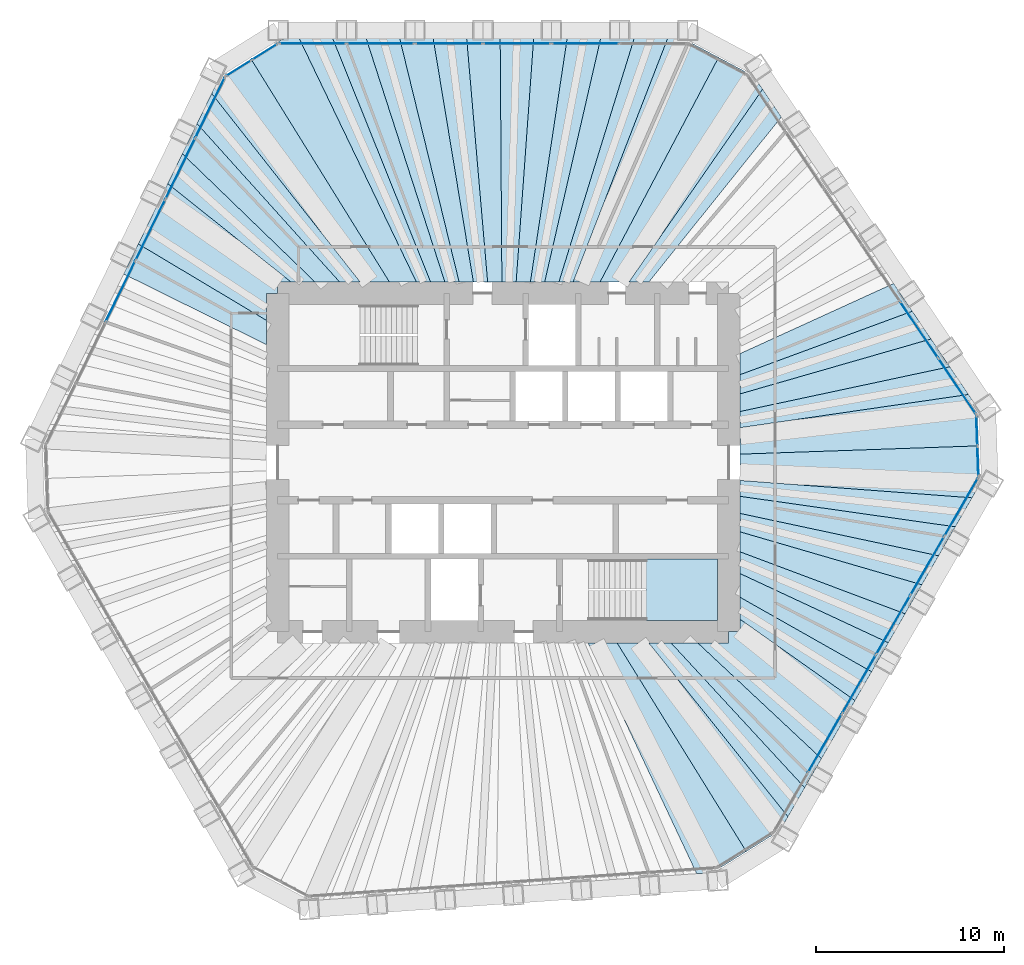
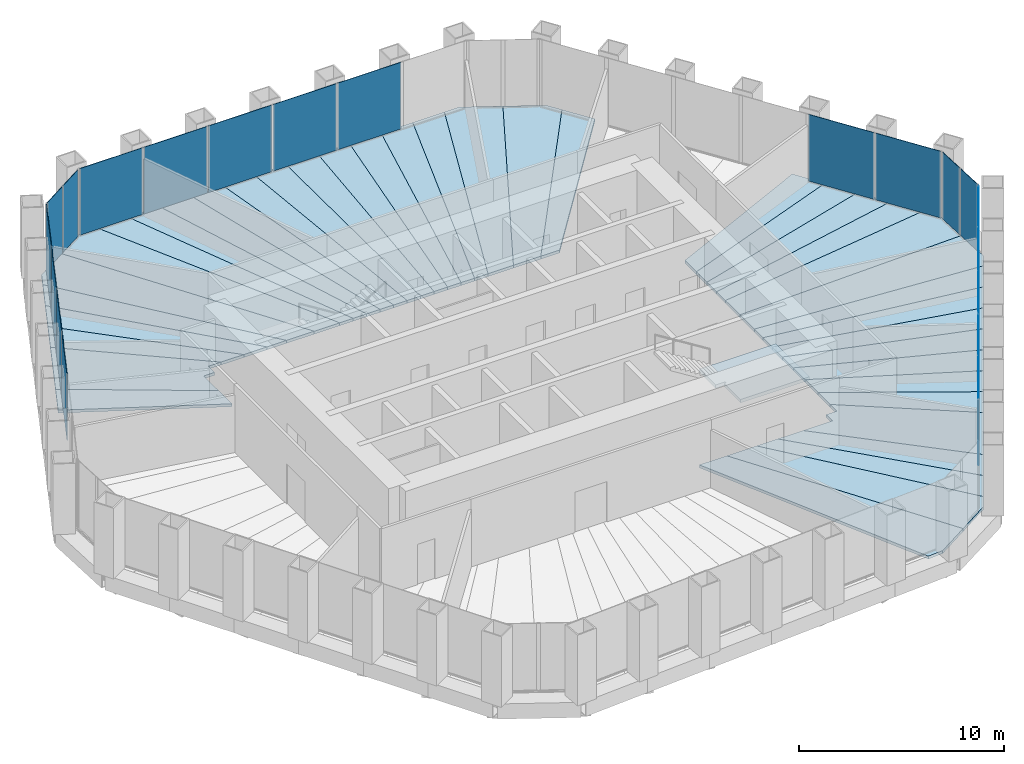
# One storey, part 8 of 12: 40 slabs, 20 plates, 7 elements without a shape of their own.
"""IFC4 building model written with IfcOpenShell, lengths in metres."""

from ifc_helpers import new_model, si_unit, direction, frame, origin, origin_2d, place, context, subcontext, project, spatial, polyline, rectangle, outline, extrude, material, layer, layer_set, type_object, element, aggregate, save


model = new_model("IFC4")

# Units and contexts
model_context = context("Model", 3, precision=1e-05, world=origin(), true_north=direction((0.0, 1.0)))
body_context = subcontext(model_context, "Body", "Model", "MODEL_VIEW")
ifc_project = project(units=[si_unit("LENGTHUNIT", "METRE"), si_unit("AREAUNIT", "SQUARE_METRE"), si_unit("VOLUMEUNIT", "CUBIC_METRE"), si_unit("PLANEANGLEUNIT", "RADIAN"), si_unit("MASSUNIT", "GRAM", prefix="KILO")], contexts=[model_context])

# Site, building, storey
site_placement = place(None, origin())
site = spatial("IfcSite", under=ifc_project, at=site_placement, CompositionType="ELEMENT")
building_placement = place(site_placement, origin())
building = spatial("IfcBuilding", under=site, at=building_placement, Name="Qingtian Harvest Tower", CompositionType="ELEMENT")
storey_placement = place(building_placement, frame((0.0, 0.0, 184.60009765625)))
storey = spatial("IfcBuildingStorey", under=building, at=storey_placement, Name="L39", CompositionType="ELEMENT", Elevation=184.60009765625)

# Slabs
ifc_material_1 = material(Name="Concrete fc' 35 MPa", Category="concrete")
ifc_layer_1 = layer(ifc_material_1, 0.169921875)
ifc_layer_set_1 = layer_set([ifc_layer_1], Name="Composite floor slab FS17 170")
slab_type_1 = type_object("IfcSlabType", Name="Composite floor slab FS17 170", PredefinedType="FLOOR", material=ifc_layer_set_1)
slab_1_placement = place(storey_placement, frame((0.0, 0.0, -0.170166015625)))
element("IfcSlab", 1, at=slab_1_placement, inside=storey, type_object=slab_type_1, Name="Floor slab L39 panel D26", PredefinedType="FLOOR", context=body_context, shape_type="SweptSolid", body=[
    extrude(outline(polyline([(4.5185546875, -9.60009765625), (6.059326171875, -9.60009765625), (12.94140625, -20.70703125), (11.142578125, -21.830810546875), (10.30029296875, -21.889892578125), (4.5185546875, -9.60009765625)])), origin(), (0.0, 0.0, 1.0), 0.170166015625),
])
slab_2_placement = place(storey_placement, frame((0.0, 0.0, -0.170166015625)))
element("IfcSlab", 2, at=slab_2_placement, inside=storey, type_object=slab_type_1, Name="Floor slab L39 panel D27", PredefinedType="FLOOR", context=body_context, shape_type="SweptSolid", body=[
    extrude(outline(polyline([(6.059326171875, -9.60009765625), (7.740966796875, -9.60009765625), (15.159423828125, -18.853271484375), (14.73681640625, -19.5849609375), (12.94140625, -20.70703125), (6.059326171875, -9.60009765625)])), origin(), (0.0, 0.0, 1.0), 0.170166015625),
])
slab_3_placement = place(storey_placement, frame((0.0, 0.0, -0.170166015625)))
element("IfcSlab", 3, at=slab_3_placement, inside=storey, type_object=slab_type_1, Name="Floor slab L39 panel D28", PredefinedType="FLOOR", context=body_context, shape_type="SweptSolid", body=[
    extrude(outline(polyline([(8.929443359375, -9.60009765625), (16.05029296875, -17.31005859375), (15.159423828125, -18.853271484375), (7.740966796875, -9.60009765625), (8.929443359375, -9.60009765625)])), origin(), (0.0, 0.0, 1.0), 0.170166015625),
])
slab_4_placement = place(storey_placement, frame((0.0, 0.0, -0.170166015625)))
element("IfcSlab", 4, at=slab_4_placement, inside=storey, type_object=slab_type_1, Name="Floor slab L39 panel D29", PredefinedType="FLOOR", context=body_context, shape_type="SweptSolid", body=[
    extrude(outline(polyline([(10.35205078125, -9.60009765625), (16.94140625, -15.766845703125), (16.05029296875, -17.31005859375), (8.929443359375, -9.60009765625), (10.35205078125, -9.60009765625)])), origin(), (0.0, 0.0, 1.0), 0.170166015625),
])
slab_5_placement = place(storey_placement, frame((0.0, 0.0, -0.170166015625)))
element("IfcSlab", 5, at=slab_5_placement, inside=storey, type_object=slab_type_1, Name="Floor slab L39 panel D31", PredefinedType="FLOOR", context=body_context, shape_type="SweptSolid", body=[
    extrude(outline(polyline([(12.60009765625, -8.33984375), (18.726806640625, -12.674072265625), (16.94140625, -15.766845703125), (10.35205078125, -9.60009765625), (12.0, -9.60009765625), (12.0, -9.0), (12.60009765625, -9.0), (12.60009765625, -8.33984375)])), origin(), (0.0, 0.0, 1.0), 0.170166015625),
])
slab_6_placement = place(storey_placement, frame((0.0, 0.0, -0.170166015625)))
element("IfcSlab", 6, at=slab_6_placement, inside=storey, type_object=slab_type_1, Name="Floor slab L39 panel D32", PredefinedType="FLOOR", context=body_context, shape_type="SweptSolid", body=[
    extrude(outline(polyline([(12.60009765625, -7.171142578125), (19.61279296875, -11.1396484375), (18.726806640625, -12.674072265625), (12.60009765625, -8.33984375), (12.60009765625, -7.171142578125)])), origin(), (0.0, 0.0, 1.0), 0.170166015625),
])
slab_7_placement = place(storey_placement, frame((0.0, 0.0, -0.170166015625)))
element("IfcSlab", 7, at=slab_7_placement, inside=storey, type_object=slab_type_1, Name="Floor slab L39 panel D33", PredefinedType="FLOOR", context=body_context, shape_type="SweptSolid", body=[
    extrude(outline(polyline([(12.60009765625, -5.91015625), (20.503662109375, -9.5966796875), (19.61279296875, -11.1396484375), (12.60009765625, -7.171142578125), (12.60009765625, -5.91015625)])), origin(), (0.0, 0.0, 1.0), 0.170166015625),
])
slab_8_placement = place(storey_placement, frame((0.0, 0.0, -0.170166015625)))
element("IfcSlab", 8, at=slab_8_placement, inside=storey, type_object=slab_type_1, Name="Floor slab L39 panel D34", PredefinedType="FLOOR", context=body_context, shape_type="SweptSolid", body=[
    extrude(outline(polyline([(12.60009765625, -4.75439453125), (21.39453125, -8.0537109375), (20.503662109375, -9.5966796875), (12.60009765625, -5.91015625), (12.60009765625, -4.75439453125)])), origin(), (0.0, 0.0, 1.0), 0.170166015625),
])
slab_9_placement = place(storey_placement, frame((0.0, 0.0, -0.170166015625)))
element("IfcSlab", 9, at=slab_9_placement, inside=storey, type_object=slab_type_1, Name="Floor slab L39 panel D35", PredefinedType="FLOOR", context=body_context, shape_type="SweptSolid", body=[
    extrude(outline(polyline([(12.60009765625, -3.691162109375), (22.285400390625, -6.5107421875), (21.39453125, -8.0537109375), (12.60009765625, -4.75439453125), (12.60009765625, -3.691162109375)])), origin(), (0.0, 0.0, 1.0), 0.170166015625),
])
slab_10_placement = place(storey_placement, frame((0.0, 0.0, -0.170166015625)))
element("IfcSlab", 10, at=slab_10_placement, inside=storey, type_object=slab_type_1, Name="Floor slab L39 panel D36", PredefinedType="FLOOR", context=body_context, shape_type="SweptSolid", body=[
    extrude(outline(polyline([(12.60009765625, -2.709716796875), (23.17626953125, -4.9677734375), (22.285400390625, -6.5107421875), (12.60009765625, -3.691162109375), (12.60009765625, -2.709716796875)])), origin(), (0.0, 0.0, 1.0), 0.170166015625),
])
slab_11_placement = place(storey_placement, frame((0.0, 0.0, -0.170166015625)))
element("IfcSlab", 11, at=slab_11_placement, inside=storey, type_object=slab_type_1, Name="Floor slab L39 panel D37", PredefinedType="FLOOR", context=body_context, shape_type="SweptSolid", body=[
    extrude(outline(polyline([(12.60009765625, -1.801025390625), (24.06689453125, -3.4248046875), (23.17626953125, -4.9677734375), (12.60009765625, -2.709716796875), (12.60009765625, -1.801025390625)])), origin(), (0.0, 0.0, 1.0), 0.170166015625),
])
slab_12_placement = place(storey_placement, frame((0.0, 0.0, -0.170166015625)))
element("IfcSlab", 12, at=slab_12_placement, inside=storey, type_object=slab_type_1, Name="Floor slab L39 panel D38", PredefinedType="FLOOR", context=body_context, shape_type="SweptSolid", body=[
    extrude(outline(polyline([(12.60009765625, -0.95703125), (24.957763671875, -1.8818359375), (24.06689453125, -3.4248046875), (12.60009765625, -1.801025390625), (12.60009765625, -0.95703125)])), origin(), (0.0, 0.0, 1.0), 0.170166015625),
])
slab_13_placement = place(storey_placement, frame((0.0, 0.0, -0.170166015625)))
element("IfcSlab", 13, at=slab_13_placement, inside=storey, type_object=slab_type_1, Name="Floor slab L39 panel D39", PredefinedType="FLOOR", context=body_context, shape_type="SweptSolid", body=[
    extrude(outline(polyline([(12.60009765625, -0.95703125), (12.60009765625, 0.442626953125), (25.30908203125, 0.884033203125), (25.380126953125, -1.150146484375), (24.957763671875, -1.8818359375), (12.60009765625, -0.95703125)])), origin(), (0.0, 0.0, 1.0), 0.170166015625),
])
slab_14_placement = place(storey_placement, frame((0.0, 0.0, -0.170166015625)))
element("IfcSlab", 14, at=slab_14_placement, inside=storey, type_object=slab_type_1, Name="Floor slab L39 panel D40", PredefinedType="FLOOR", context=body_context, shape_type="SweptSolid", body=[
    extrude(outline(polyline([(12.60009765625, 0.442626953125), (12.60009765625, 1.848876953125), (24.765625, 3.6181640625), (25.238037109375, 2.91796875), (25.30908203125, 0.884033203125), (12.60009765625, 0.442626953125)])), origin(), (0.0, 0.0, 1.0), 0.170166015625),
])
slab_15_placement = place(storey_placement, frame((0.0, 0.0, -0.170166015625)))
element("IfcSlab", 15, at=slab_15_placement, inside=storey, type_object=slab_type_1, Name="Floor slab L39 panel D41", PredefinedType="FLOOR", context=body_context, shape_type="SweptSolid", body=[
    extrude(outline(polyline([(12.60009765625, 2.710205078125), (23.76953125, 5.09521484375), (24.765625, 3.6181640625), (12.60009765625, 1.848876953125), (12.60009765625, 2.710205078125)])), origin(), (0.0, 0.0, 1.0), 0.170166015625),
])
slab_16_placement = place(storey_placement, frame((0.0, 0.0, -0.170166015625)))
element("IfcSlab", 16, at=slab_16_placement, inside=storey, type_object=slab_type_1, Name="Floor slab L39 panel D42", PredefinedType="FLOOR", context=body_context, shape_type="SweptSolid", body=[
    extrude(outline(polyline([(12.60009765625, 3.646728515625), (22.773193359375, 6.572265625), (23.76953125, 5.09521484375), (12.60009765625, 2.710205078125), (12.60009765625, 3.646728515625)])), origin(), (0.0, 0.0, 1.0), 0.170166015625),
])
slab_17_placement = place(storey_placement, frame((0.0, 0.0, -0.170166015625)))
element("IfcSlab", 17, at=slab_17_placement, inside=storey, type_object=slab_type_1, Name="Floor slab L39 panel D43", PredefinedType="FLOOR", context=body_context, shape_type="SweptSolid", body=[
    extrude(outline(polyline([(12.60009765625, 4.669189453125), (21.77685546875, 8.049560546875), (22.773193359375, 6.572265625), (12.60009765625, 3.646728515625), (12.60009765625, 4.669189453125)])), origin(), (0.0, 0.0, 1.0), 0.170166015625),
])
slab_18_placement = place(storey_placement, frame((0.0, 0.0, -0.170166015625)))
element("IfcSlab", 18, at=slab_18_placement, inside=storey, type_object=slab_type_1, Name="Floor slab L39 panel D44", PredefinedType="FLOOR", context=body_context, shape_type="SweptSolid", body=[
    extrude(outline(polyline([(12.60009765625, 5.7900390625), (20.780517578125, 9.526611328125), (21.77685546875, 8.049560546875), (12.60009765625, 4.669189453125), (12.60009765625, 5.7900390625)])), origin(), (0.0, 0.0, 1.0), 0.170166015625),
])
slab_19_placement = place(storey_placement, frame((0.0, 0.0, -0.170166015625)))
element("IfcSlab", 19, at=slab_19_placement, inside=storey, type_object=slab_type_1, Name="Floor slab L39 panel D51", PredefinedType="FLOOR", context=body_context, shape_type="SweptSolid", body=[
    extrude(outline(polyline([(6.6904296875, 9.60009765625), (13.807373046875, 19.86474609375), (14.8037109375, 18.3876953125), (7.751220703125, 9.60009765625), (6.6904296875, 9.60009765625)])), origin(), (0.0, 0.0, 1.0), 0.170166015625),
])
slab_20_placement = place(storey_placement, frame((0.0, 0.0, -0.170166015625)))
element("IfcSlab", 20, at=slab_20_placement, inside=storey, type_object=slab_type_1, Name="Floor slab L39 panel D52", PredefinedType="FLOOR", context=body_context, shape_type="SweptSolid", body=[
    extrude(outline(polyline([(6.6904296875, 9.60009765625), (5.15185546875, 9.60009765625), (11.465087890625, 21.559326171875), (13.334716796875, 20.5654296875), (13.807373046875, 19.86474609375), (6.6904296875, 9.60009765625)])), origin(), (0.0, 0.0, 1.0), 0.170166015625),
])
slab_21_placement = place(storey_placement, frame((0.0, 0.0, -0.170166015625)))
element("IfcSlab", 21, at=slab_21_placement, inside=storey, type_object=slab_type_1, Name="Floor slab L39 panel D53", PredefinedType="FLOOR", context=body_context, shape_type="SweptSolid", body=[
    extrude(outline(polyline([(3.7236328125, 9.60009765625), (8.748291015625, 22.554931640625), (9.5927734375, 22.554931640625), (11.465087890625, 21.559326171875), (5.15185546875, 9.60009765625), (3.7236328125, 9.60009765625)])), origin(), (0.0, 0.0, 1.0), 0.170166015625),
])
slab_22_placement = place(storey_placement, frame((0.0, 0.0, -0.170166015625)))
element("IfcSlab", 22, at=slab_22_placement, inside=storey, type_object=slab_type_1, Name="Floor slab L39 panel D54", PredefinedType="FLOOR", context=body_context, shape_type="SweptSolid", body=[
    extrude(outline(polyline([(2.96533203125, 9.60009765625), (6.966796875, 22.554931640625), (8.748291015625, 22.554931640625), (3.7236328125, 9.60009765625), (2.96533203125, 9.60009765625)])), origin(), (0.0, 0.0, 1.0), 0.170166015625),
])
slab_23_placement = place(storey_placement, frame((0.0, 0.0, -0.170166015625)))
element("IfcSlab", 23, at=slab_23_placement, inside=storey, type_object=slab_type_1, Name="Floor slab L39 panel D55", PredefinedType="FLOOR", context=body_context, shape_type="SweptSolid", body=[
    extrude(outline(polyline([(2.206787109375, 9.60009765625), (5.18505859375, 22.554931640625), (6.966796875, 22.554931640625), (2.96533203125, 9.60009765625), (2.206787109375, 9.60009765625)])), origin(), (0.0, 0.0, 1.0), 0.170166015625),
])
slab_24_placement = place(storey_placement, frame((0.0, 0.0, -0.170166015625)))
element("IfcSlab", 24, at=slab_24_placement, inside=storey, type_object=slab_type_1, Name="Floor slab L39 panel D56", PredefinedType="FLOOR", context=body_context, shape_type="SweptSolid", body=[
    extrude(outline(polyline([(1.448486328125, 9.60009765625), (3.403564453125, 22.554931640625), (5.18505859375, 22.554931640625), (2.206787109375, 9.60009765625), (1.448486328125, 9.60009765625)])), origin(), (0.0, 0.0, 1.0), 0.170166015625),
])
slab_25_placement = place(storey_placement, frame((0.0, 0.0, -0.170166015625)))
element("IfcSlab", 25, at=slab_25_placement, inside=storey, type_object=slab_type_1, Name="Floor slab L39 panel D57", PredefinedType="FLOOR", context=body_context, shape_type="SweptSolid", body=[
    extrude(outline(polyline([(0.690185546875, 9.60009765625), (1.621826171875, 22.554931640625), (3.403564453125, 22.554931640625), (1.448486328125, 9.60009765625), (0.690185546875, 9.60009765625)])), origin(), (0.0, 0.0, 1.0), 0.170166015625),
])
slab_26_placement = place(storey_placement, frame((0.0, 0.0, -0.170166015625)))
element("IfcSlab", 26, at=slab_26_placement, inside=storey, type_object=slab_type_1, Name="Floor slab L39 panel D58", PredefinedType="FLOOR", context=body_context, shape_type="SweptSolid", body=[
    extrude(outline(polyline([(-0.068115234375, 9.60009765625), (-0.159912109375, 22.554931640625), (1.621826171875, 22.554931640625), (0.690185546875, 9.60009765625), (-0.068115234375, 9.60009765625)])), origin(), (0.0, 0.0, 1.0), 0.170166015625),
])
slab_27_placement = place(storey_placement, frame((0.0, 0.0, -0.170166015625)))
element("IfcSlab", 27, at=slab_27_placement, inside=storey, type_object=slab_type_1, Name="Floor slab L39 panel D59", PredefinedType="FLOOR", context=body_context, shape_type="SweptSolid", body=[
    extrude(outline(polyline([(-0.826416015625, 9.60009765625), (-1.94140625, 22.554931640625), (-0.159912109375, 22.554931640625), (-0.068115234375, 9.60009765625), (-0.826416015625, 9.60009765625)])), origin(), (0.0, 0.0, 1.0), 0.170166015625),
])
slab_28_placement = place(storey_placement, frame((0.0, 0.0, -0.170166015625)))
element("IfcSlab", 28, at=slab_28_placement, inside=storey, type_object=slab_type_1, Name="Floor slab L39 panel D60", PredefinedType="FLOOR", context=body_context, shape_type="SweptSolid", body=[
    extrude(outline(polyline([(-1.584716796875, 9.60009765625), (-3.72314453125, 22.554931640625), (-1.94140625, 22.554931640625), (-0.826416015625, 9.60009765625), (-1.584716796875, 9.60009765625)])), origin(), (0.0, 0.0, 1.0), 0.170166015625),
])
slab_29_placement = place(storey_placement, frame((0.0, 0.0, -0.170166015625)))
element("IfcSlab", 29, at=slab_29_placement, inside=storey, type_object=slab_type_1, Name="Floor slab L39 panel D61", PredefinedType="FLOOR", context=body_context, shape_type="SweptSolid", body=[
    extrude(outline(polyline([(-2.343017578125, 9.60009765625), (-5.504638671875, 22.554931640625), (-3.72314453125, 22.554931640625), (-1.584716796875, 9.60009765625), (-2.343017578125, 9.60009765625)])), origin(), (0.0, 0.0, 1.0), 0.170166015625),
])
slab_30_placement = place(storey_placement, frame((0.0, 0.0, -0.170166015625)))
element("IfcSlab", 30, at=slab_30_placement, inside=storey, type_object=slab_type_1, Name="Floor slab L39 panel D62", PredefinedType="FLOOR", context=body_context, shape_type="SweptSolid", body=[
    extrude(outline(polyline([(-3.101318359375, 9.60009765625), (-7.286376953125, 22.554931640625), (-5.504638671875, 22.554931640625), (-2.343017578125, 9.60009765625), (-3.101318359375, 9.60009765625)])), origin(), (0.0, 0.0, 1.0), 0.170166015625),
])
slab_31_placement = place(storey_placement, frame((0.0, 0.0, -0.170166015625)))
element("IfcSlab", 31, at=slab_31_placement, inside=storey, type_object=slab_type_1, Name="Floor slab L39 panel D63", PredefinedType="FLOOR", context=body_context, shape_type="SweptSolid", body=[
    extrude(outline(polyline([(-3.859619140625, 9.60009765625), (-9.06787109375, 22.554931640625), (-7.286376953125, 22.554931640625), (-3.101318359375, 9.60009765625), (-3.859619140625, 9.60009765625)])), origin(), (0.0, 0.0, 1.0), 0.170166015625),
])
slab_32_placement = place(storey_placement, frame((0.0, 0.0, -0.170166015625)))
element("IfcSlab", 32, at=slab_32_placement, inside=storey, type_object=slab_type_1, Name="Floor slab L39 panel D64", PredefinedType="FLOOR", context=body_context, shape_type="SweptSolid", body=[
    extrude(outline(polyline([(-4.617919921875, 9.60009765625), (-10.849609375, 22.554931640625), (-9.06787109375, 22.554931640625), (-3.859619140625, 9.60009765625), (-4.617919921875, 9.60009765625)])), origin(), (0.0, 0.0, 1.0), 0.170166015625),
])
slab_33_placement = place(storey_placement, frame((0.0, 0.0, -0.170166015625)))
element("IfcSlab", 33, at=slab_33_placement, inside=storey, type_object=slab_type_1, Name="Floor slab L39 panel D65", PredefinedType="FLOOR", context=body_context, shape_type="SweptSolid", body=[
    extrude(outline(polyline([(-4.617919921875, 9.60009765625), (-6.050537109375, 9.60009765625), (-13.42138671875, 21.4755859375), (-11.69384765625, 22.554931640625), (-10.849609375, 22.554931640625), (-4.617919921875, 9.60009765625)])), origin(), (0.0, 0.0, 1.0), 0.170166015625),
])
slab_34_placement = place(storey_placement, frame((0.0, 0.0, -0.170166015625)))
element("IfcSlab", 34, at=slab_34_placement, inside=storey, type_object=slab_type_1, Name="Floor slab L39 panel D66", PredefinedType="FLOOR", context=body_context, shape_type="SweptSolid", body=[
    extrude(outline(polyline([(-6.050537109375, 9.60009765625), (-7.60498046875, 9.60009765625), (-15.516357421875, 19.638427734375), (-15.14599609375, 20.39794921875), (-13.42138671875, 21.4755859375), (-6.050537109375, 9.60009765625)])), origin(), (0.0, 0.0, 1.0), 0.170166015625),
])
slab_35_placement = place(storey_placement, frame((0.0, 0.0, -0.170166015625)))
element("IfcSlab", 35, at=slab_35_placement, inside=storey, type_object=slab_type_1, Name="Floor slab L39 panel D67", PredefinedType="FLOOR", context=body_context, shape_type="SweptSolid", body=[
    extrude(outline(polyline([(-8.699951171875, 9.60009765625), (-16.297607421875, 18.036865234375), (-15.516357421875, 19.638427734375), (-7.60498046875, 9.60009765625), (-8.699951171875, 9.60009765625)])), origin(), (0.0, 0.0, 1.0), 0.170166015625),
])
slab_36_placement = place(storey_placement, frame((0.0, 0.0, -0.170166015625)))
element("IfcSlab", 36, at=slab_36_placement, inside=storey, type_object=slab_type_1, Name="Floor slab L39 panel D68", PredefinedType="FLOOR", context=body_context, shape_type="SweptSolid", body=[
    extrude(outline(polyline([(-10.009765625, 9.60009765625), (-17.07861328125, 16.435302734375), (-16.297607421875, 18.036865234375), (-8.699951171875, 9.60009765625), (-10.009765625, 9.60009765625)])), origin(), (0.0, 0.0, 1.0), 0.170166015625),
])
slab_37_placement = place(storey_placement, frame((0.0, 0.0, -0.170166015625)))
element("IfcSlab", 37, at=slab_37_placement, inside=storey, type_object=slab_type_1, Name="Floor slab L39 panel D69", PredefinedType="FLOOR", context=body_context, shape_type="SweptSolid", body=[
    extrude(outline(polyline([(-11.28759765625, 9.60009765625), (-17.855224609375, 14.84326171875), (-17.07861328125, 16.435302734375), (-10.009765625, 9.60009765625), (-11.28759765625, 9.60009765625)])), origin(), (0.0, 0.0, 1.0), 0.170166015625),
])
slab_38_placement = place(storey_placement, frame((0.0, 0.0, -0.170166015625)))
element("IfcSlab", 38, at=slab_38_placement, inside=storey, type_object=slab_type_1, Name="Floor slab L39 panel D70", PredefinedType="FLOOR", context=body_context, shape_type="SweptSolid", body=[
    extrude(outline(polyline([(-12.0, 9.0), (-12.60009765625, 9.0), (-12.60009765625, 7.560302734375), (-19.4208984375, 11.633056640625), (-17.855224609375, 14.84326171875), (-11.28759765625, 9.60009765625), (-12.0, 9.60009765625), (-12.0, 9.0)])), origin(), (0.0, 0.0, 1.0), 0.170166015625),
])
slab_39_placement = place(storey_placement, frame((0.0, 0.0, -0.170166015625)))
element("IfcSlab", 39, at=slab_39_placement, inside=storey, type_object=slab_type_1, Name="Floor slab L39 panel D72", PredefinedType="FLOOR", context=body_context, shape_type="SweptSolid", body=[
    extrude(outline(polyline([(-12.60009765625, 6.268310546875), (-20.201904296875, 10.031494140625), (-19.4208984375, 11.633056640625), (-12.60009765625, 7.560302734375), (-12.60009765625, 6.268310546875)])), origin(), (0.0, 0.0, 1.0), 0.170166015625),
])

# Curtain wall, plates
ifc_material_2 = material(Name="Bronze-anodised aluminium curtain wall", Category="aluminium")
curtain_wall_type = type_object("IfcCurtainWallType", Name="Curtain wall CW4 office", PredefinedType="USERDEFINED", material=ifc_material_2)
curtain_wall_1_placement = place(storey_placement, origin())
curtain_wall_1 = element("IfcCurtainWall", 40, at=curtain_wall_1_placement, inside=storey, type_object=curtain_wall_type, Name="Curtain wall CW4 L39 N0-5", ObjectType="RECESSED CURTAIN WALL", PredefinedType="USERDEFINED")
ifc_material_3 = material(Name="Bronze-tinted laminated insulating glass", Category="glass")
ifc_layer_2 = layer(ifc_material_3, 0.030029296875)
ifc_layer_set_2 = layer_set([ifc_layer_2], Name="Glazed panel CWP tinted IGU")
plate_type = type_object("IfcPlateType", Name="Glazed panel CWP tinted IGU", PredefinedType="CURTAIN_PANEL", material=ifc_layer_set_2)
plate_1_placement = place(storey_placement, frame((-10.138916015625, 22.300048828125, 0.06494140625), z_axis=(0.0, 0.0, 1.0), x_axis=(1.0, 0.0, 0.0)))
plate_1 = element("IfcPlate", 41, at=plate_1_placement, type_object=plate_type, Name="CW4 panel 1.1", PredefinedType="CURTAIN_PANEL", context=body_context, shape_type="SweptSolid", body=[
    extrude(rectangle(XDim=3.5361328125, YDim=0.030029296875, at=origin_2d()), origin(), (0.0, 0.0, 1.0), 3.965087890625),
])
plate_2_placement = place(storey_placement, frame((-6.521728515625, 22.300048828125, 0.06494140625), z_axis=(0.0, 0.0, 1.0), x_axis=(1.0, 0.0, 0.0)))
plate_2 = element("IfcPlate", 42, at=plate_2_placement, type_object=plate_type, Name="CW4 panel 2.1", PredefinedType="CURTAIN_PANEL", context=body_context, shape_type="SweptSolid", body=[
    extrude(rectangle(XDim=3.568603515625, YDim=0.030029296875, at=origin_2d()), origin(), (0.0, 0.0, 1.0), 3.965087890625),
])
plate_3_placement = place(storey_placement, frame((-2.88818359375, 22.300048828125, 0.06494140625), z_axis=(0.0, 0.0, 1.0), x_axis=(1.0, 0.0, 0.0)))
plate_3 = element("IfcPlate", 43, at=plate_3_placement, type_object=plate_type, Name="CW4 panel 3.1", PredefinedType="CURTAIN_PANEL", context=body_context, shape_type="SweptSolid", body=[
    extrude(rectangle(XDim=3.568603515625, YDim=0.030029296875, at=origin_2d()), origin(), (0.0, 0.0, 1.0), 3.965087890625),
])
plate_4_placement = place(storey_placement, frame((0.745361328125, 22.300048828125, 0.06494140625), z_axis=(0.0, 0.0, 1.0), x_axis=(1.0, 0.0, 0.0)))
plate_4 = element("IfcPlate", 44, at=plate_4_placement, type_object=plate_type, Name="CW4 panel 4.1", PredefinedType="CURTAIN_PANEL", context=body_context, shape_type="SweptSolid", body=[
    extrude(rectangle(XDim=3.568603515625, YDim=0.030029296875, at=origin_2d()), origin(), (0.0, 0.0, 1.0), 3.965087890625),
])
plate_5_placement = place(storey_placement, frame((4.37890625, 22.300048828125, 0.06494140625), z_axis=(0.0, 0.0, 1.0), x_axis=(1.0, 0.0, 0.0)))
plate_5 = element("IfcPlate", 45, at=plate_5_placement, type_object=plate_type, Name="CW4 panel 5.1", PredefinedType="CURTAIN_PANEL", context=body_context, shape_type="SweptSolid", body=[
    extrude(rectangle(XDim=3.568603515625, YDim=0.030029296875, at=origin_2d()), origin(), (0.0, 0.0, 1.0), 3.965087890625),
])
aggregate(curtain_wall_1, [plate_1, plate_2, plate_3, plate_4, plate_5])

curtain_wall_2_placement = place(storey_placement, origin())
curtain_wall_2 = element("IfcCurtainWall", 46, at=curtain_wall_2_placement, inside=storey, type_object=curtain_wall_type, Name="Curtain wall CW4 L39 NE0-5", ObjectType="RECESSED CURTAIN WALL", PredefinedType="USERDEFINED")
plate_6_placement = place(storey_placement, frame((22.134521484375, 7.063232421875, 0.06494140625), z_axis=(0.0, 0.0, 1.0), x_axis=(0.559192903471, -0.829037572555, 0.0)))
plate_6 = element("IfcPlate", 47, at=plate_6_placement, type_object=plate_type, Name="CW4 panel 5.1", PredefinedType="CURTAIN_PANEL", context=body_context, shape_type="SweptSolid", body=[
    extrude(rectangle(XDim=3.568603515625, YDim=0.030029296875, at=origin_2d()), origin(), (0.0, 0.0, 1.0), 3.965087890625),
])
plate_7_placement = place(storey_placement, frame((24.1572265625, 4.064453125, 0.06494140625), z_axis=(0.0, 0.0, 1.0), x_axis=(0.559192903471, -0.829037572555, 0.0)))
plate_7 = element("IfcPlate", 48, at=plate_7_placement, type_object=plate_type, Name="CW4 panel 6.1", PredefinedType="CURTAIN_PANEL", context=body_context, shape_type="SweptSolid", body=[
    extrude(rectangle(XDim=3.5361328125, YDim=0.030029296875, at=origin_2d()), origin(), (0.0, 0.0, 1.0), 3.965087890625),
])
aggregate(curtain_wall_2, [plate_6, plate_7])

curtain_wall_3_placement = place(storey_placement, origin())
curtain_wall_3 = element("IfcCurtainWall", 49, at=curtain_wall_3_placement, inside=storey, type_object=curtain_wall_type, Name="Curtain wall CW4 L39 NEC", ObjectType="RECESSED CURTAIN WALL", PredefinedType="USERDEFINED")
plate_8_placement = place(storey_placement, frame((25.2119140625, 1.69677734375, 0.06494140625), z_axis=(0.0, 0.0, 1.0), x_axis=(0.034899496703, -0.999390827019, 0.0)))
plate_8 = element("IfcPlate", 50, at=plate_8_placement, type_object=plate_type, Name="CW4 panel 1.1", PredefinedType="CURTAIN_PANEL", context=body_context, shape_type="SweptSolid", body=[
    extrude(rectangle(XDim=1.56689453125, YDim=0.030029296875, at=origin_2d()), origin(), (0.0, 0.0, 1.0), 3.965087890625),
])
plate_9_placement = place(storey_placement, frame((25.268798828125, 0.06591796875, 0.06494140625), z_axis=(0.0, 0.0, 1.0), x_axis=(0.034899496703, -0.999390827019, 0.0)))
plate_9 = element("IfcPlate", 51, at=plate_9_placement, type_object=plate_type, Name="CW4 panel 2.1", PredefinedType="CURTAIN_PANEL", context=body_context, shape_type="SweptSolid", body=[
    extrude(rectangle(XDim=1.56689453125, YDim=0.030029296875, at=origin_2d()), origin(), (0.0, 0.0, 1.0), 3.965087890625),
])
aggregate(curtain_wall_3, [plate_8, plate_9])

curtain_wall_4_placement = place(storey_placement, origin())
curtain_wall_4 = element("IfcCurtainWall", 52, at=curtain_wall_4_placement, inside=storey, type_object=curtain_wall_type, Name="Curtain wall CW4 L39 SE0-5", ObjectType="RECESSED CURTAIN WALL", PredefinedType="USERDEFINED")
plate_10_placement = place(storey_placement, frame((24.3818359375, -2.369384765625, 0.06494140625), z_axis=(0.0, 0.0, 1.0), x_axis=(-0.5, -0.866025403784, 0.0)))
plate_10 = element("IfcPlate", 53, at=plate_10_placement, type_object=plate_type, Name="CW4 panel 1.1", PredefinedType="CURTAIN_PANEL", context=body_context, shape_type="SweptSolid", body=[
    extrude(rectangle(XDim=3.5361328125, YDim=0.030029296875, at=origin_2d()), origin(), (0.0, 0.0, 1.0), 3.965087890625),
])
plate_11_placement = place(storey_placement, frame((22.5732421875, -5.501953125, 0.06494140625), z_axis=(0.0, 0.0, 1.0), x_axis=(-0.5, -0.866025403784, 0.0)))
plate_11 = element("IfcPlate", 54, at=plate_11_placement, type_object=plate_type, Name="CW4 panel 2.1", PredefinedType="CURTAIN_PANEL", context=body_context, shape_type="SweptSolid", body=[
    extrude(rectangle(XDim=3.568603515625, YDim=0.030029296875, at=origin_2d()), origin(), (0.0, 0.0, 1.0), 3.965087890625),
])
plate_12_placement = place(storey_placement, frame((20.75634765625, -8.64892578125, 0.06494140625), z_axis=(0.0, 0.0, 1.0), x_axis=(-0.5, -0.866025403784, 0.0)))
plate_12 = element("IfcPlate", 55, at=plate_12_placement, type_object=plate_type, Name="CW4 panel 3.1", PredefinedType="CURTAIN_PANEL", context=body_context, shape_type="SweptSolid", body=[
    extrude(rectangle(XDim=3.568603515625, YDim=0.030029296875, at=origin_2d()), origin(), (0.0, 0.0, 1.0), 3.965087890625),
])
plate_13_placement = place(storey_placement, frame((18.939697265625, -11.795654296875, 0.06494140625), z_axis=(0.0, 0.0, 1.0), x_axis=(-0.5, -0.866025403784, 0.0)))
plate_13 = element("IfcPlate", 56, at=plate_13_placement, type_object=plate_type, Name="CW4 panel 4.1", PredefinedType="CURTAIN_PANEL", context=body_context, shape_type="SweptSolid", body=[
    extrude(rectangle(XDim=3.568603515625, YDim=0.030029296875, at=origin_2d()), origin(), (0.0, 0.0, 1.0), 3.965087890625),
])
plate_14_placement = place(storey_placement, frame((17.122802734375, -14.9423828125, 0.06494140625), z_axis=(0.0, 0.0, 1.0), x_axis=(-0.5, -0.866025403784, 0.0)))
plate_14 = element("IfcPlate", 57, at=plate_14_placement, type_object=plate_type, Name="CW4 panel 5.1", PredefinedType="CURTAIN_PANEL", context=body_context, shape_type="SweptSolid", body=[
    extrude(rectangle(XDim=3.568603515625, YDim=0.030029296875, at=origin_2d()), origin(), (0.0, 0.0, 1.0), 3.965087890625),
])
aggregate(curtain_wall_4, [plate_10, plate_11, plate_12, plate_13, plate_14])

curtain_wall_5_placement = place(storey_placement, origin())
curtain_wall_5 = element("IfcCurtainWall", 58, at=curtain_wall_5_placement, inside=storey, type_object=curtain_wall_type, Name="Curtain wall CW4 L39 NW0-5", ObjectType="RECESSED CURTAIN WALL", PredefinedType="USERDEFINED")
plate_15_placement = place(storey_placement, frame((-20.369873046875, 9.105712890625, 0.06494140625), z_axis=(0.0, 0.0, 1.0), x_axis=(0.438371146789, 0.898794046299, 0.0)))
plate_15 = element("IfcPlate", 59, at=plate_15_placement, type_object=plate_type, Name="CW4 panel 3.1", PredefinedType="CURTAIN_PANEL", context=body_context, shape_type="SweptSolid", body=[
    extrude(rectangle(XDim=3.568603515625, YDim=0.030029296875, at=origin_2d()), origin(), (0.0, 0.0, 1.0), 3.965087890625),
])
plate_16_placement = place(storey_placement, frame((-18.777099609375, 12.37158203125, 0.06494140625), z_axis=(0.0, 0.0, 1.0), x_axis=(0.438371146789, 0.898794046299, 0.0)))
plate_16 = element("IfcPlate", 60, at=plate_16_placement, type_object=plate_type, Name="CW4 panel 4.1", PredefinedType="CURTAIN_PANEL", context=body_context, shape_type="SweptSolid", body=[
    extrude(rectangle(XDim=3.568603515625, YDim=0.030029296875, at=origin_2d()), origin(), (0.0, 0.0, 1.0), 3.965087890625),
])
plate_17_placement = place(storey_placement, frame((-17.18408203125, 15.63720703125, 0.06494140625), z_axis=(0.0, 0.0, 1.0), x_axis=(0.438371146789, 0.898794046299, 0.0)))
plate_17 = element("IfcPlate", 61, at=plate_17_placement, type_object=plate_type, Name="CW4 panel 5.1", PredefinedType="CURTAIN_PANEL", context=body_context, shape_type="SweptSolid", body=[
    extrude(rectangle(XDim=3.568603515625, YDim=0.030029296875, at=origin_2d()), origin(), (0.0, 0.0, 1.0), 3.965087890625),
])
plate_18_placement = place(storey_placement, frame((-15.598388671875, 18.888427734375, 0.06494140625), z_axis=(0.0, 0.0, 1.0), x_axis=(0.438371146789, 0.898794046299, 0.0)))
plate_18 = element("IfcPlate", 62, at=plate_18_placement, type_object=plate_type, Name="CW4 panel 6.1", PredefinedType="CURTAIN_PANEL", context=body_context, shape_type="SweptSolid", body=[
    extrude(rectangle(XDim=3.5361328125, YDim=0.030029296875, at=origin_2d()), origin(), (0.0, 0.0, 1.0), 3.965087890625),
])
aggregate(curtain_wall_5, [plate_15, plate_16, plate_17, plate_18])

curtain_wall_6_placement = place(storey_placement, origin())
curtain_wall_6 = element("IfcCurtainWall", 63, at=curtain_wall_6_placement, inside=storey, type_object=curtain_wall_type, Name="Curtain wall CW4 L39 NWC", ObjectType="RECESSED CURTAIN WALL", PredefinedType="USERDEFINED")
plate_19_placement = place(storey_placement, frame((-14.075439453125, 20.985595703125, 0.06494140625), z_axis=(0.0, 0.0, 1.0), x_axis=(0.848048096156, 0.529919264233, 0.0)))
plate_19 = element("IfcPlate", 64, at=plate_19_placement, type_object=plate_type, Name="CW4 panel 1.1", PredefinedType="CURTAIN_PANEL", context=body_context, shape_type="SweptSolid", body=[
    extrude(rectangle(XDim=1.56689453125, YDim=0.030029296875, at=origin_2d()), origin(), (0.0, 0.0, 1.0), 3.965087890625),
])
plate_20_placement = place(storey_placement, frame((-12.69140625, 21.850341796875, 0.06494140625), z_axis=(0.0, 0.0, 1.0), x_axis=(0.848048096156, 0.529919264233, 0.0)))
plate_20 = element("IfcPlate", 65, at=plate_20_placement, type_object=plate_type, Name="CW4 panel 2.1", PredefinedType="CURTAIN_PANEL", context=body_context, shape_type="SweptSolid", body=[
    extrude(rectangle(XDim=1.56689453125, YDim=0.030029296875, at=origin_2d()), origin(), (0.0, 0.0, 1.0), 3.965087890625),
])
aggregate(curtain_wall_6, [plate_19, plate_20])

# Stair, slab
ifc_material_4 = material(Name="Concrete fc' 35 MPa", Category="concrete")
stair_type = type_object("IfcStairType", Name="Special stair ST4 4200", PredefinedType="HALF_TURN_STAIR", material=ifc_material_4)
stair_placement = place(storey_placement, origin())
stair = element("IfcStair", 66, at=stair_placement, inside=storey, type_object=stair_type, Name="Special stair S2 L39", PredefinedType="HALF_TURN_STAIR")
ifc_material_5 = material(Name="Concrete fc' 35 MPa", Category="concrete")
ifc_layer_3 = layer(ifc_material_5, 0.199951171875)
ifc_layer_set_3 = layer_set([ifc_layer_3], Name="Stair landing SL2 200")
slab_type_2 = type_object("IfcSlabType", Name="Stair landing SL2 200", PredefinedType="LANDING", material=ifc_layer_set_3)
slab_40_placement = place(storey_placement, frame((0.0, 0.0, 1.89990234375)))
slab_40 = element("IfcSlab", 67, at=slab_40_placement, type_object=slab_type_2, Name="S2 landing 2", PredefinedType="LANDING", context=body_context, shape_type="SweptSolid", body=[
    extrude(outline(polyline([(7.530029296875, -8.39990234375), (7.530029296875, -6.824951171875), (7.6298828125, -6.824951171875), (7.6298828125, -6.72509765625), (7.094970703125, -6.72509765625), (7.094970703125, -5.14990234375), (11.39990234375, -5.14990234375), (11.39990234375, -8.39990234375), (7.530029296875, -8.39990234375)])), origin(), (0.0, 0.0, 1.0), 0.199951171875),
])
aggregate(stair, [slab_40])

save(model, "model.ifc")
